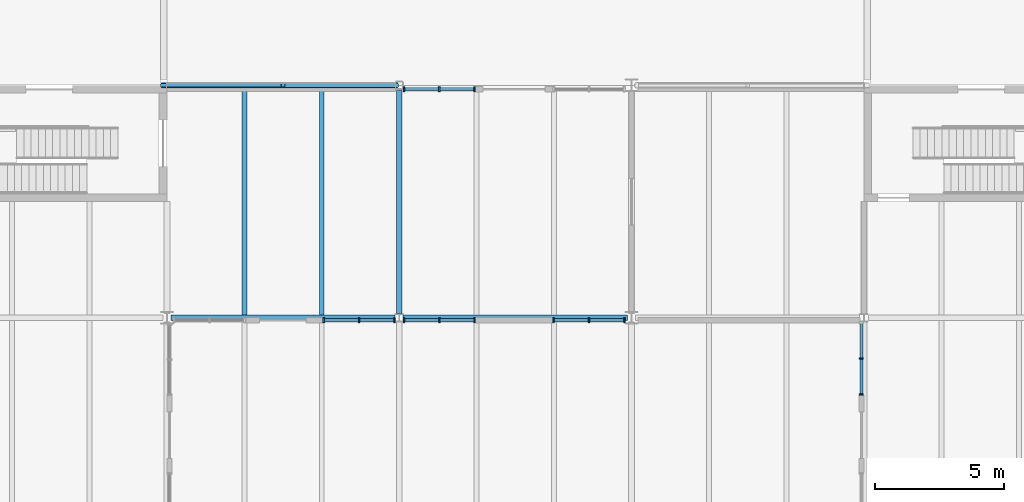
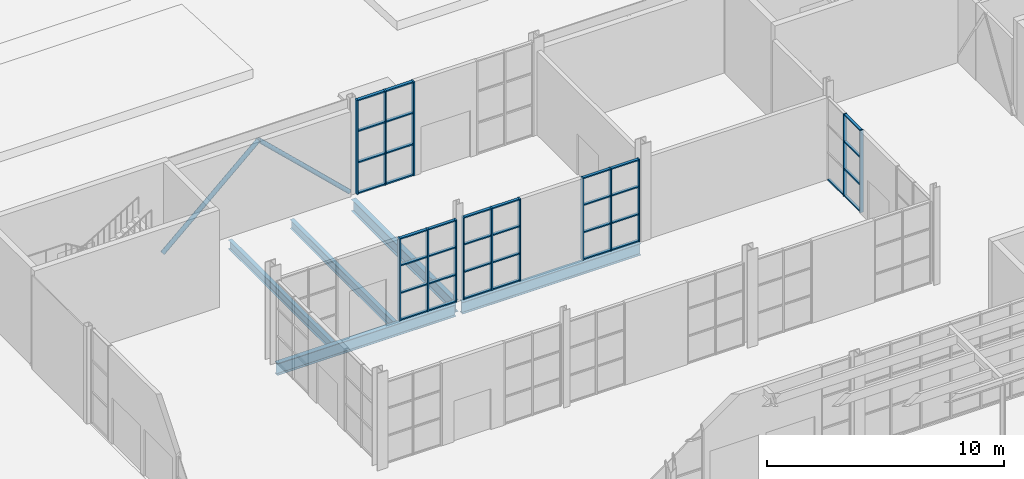
# One storey, part 18 of 63: 53 members, 5 beams, 5 elements without a shape of their own.
"""IFC4 building model written with IfcOpenShell, lengths in metres."""

from ifc_helpers import new_model, si_unit, direction, frame, origin, origin_2d, place, context, subcontext, project, spatial, rectangle, hollow_circle, i_section, extrude, material, layer, layer_set, material_profile, profile_set, type_object, element, aggregate, save


model = new_model("IFC4")

# Units and contexts
model_context = context("Model", 3, precision=1e-05, world=origin(), true_north=direction((0.0, 1.0)))
body_context = subcontext(model_context, "Body", "Model", "MODEL_VIEW")
ifc_project = project(units=[si_unit("LENGTHUNIT", "METRE"), si_unit("AREAUNIT", "SQUARE_METRE"), si_unit("VOLUMEUNIT", "CUBIC_METRE"), si_unit("PLANEANGLEUNIT", "RADIAN"), si_unit("MASSUNIT", "GRAM", prefix="KILO")], contexts=[model_context])

# Site, building, storey
site_placement = place(None, origin())
site = spatial("IfcSite", under=ifc_project, at=site_placement, CompositionType="ELEMENT")
building_placement = place(site_placement, origin())
building = spatial("IfcBuilding", under=site, at=building_placement, Name="Halyard Row Museum", CompositionType="ELEMENT")
storey_placement = place(building_placement, origin())
storey = spatial("IfcBuildingStorey", under=building, at=storey_placement, Name="L00", CompositionType="ELEMENT", Elevation=0.0)

# Members
ifc_material_1 = material(Name="Steel Grade C350L0", Category="steel")
ifc_material_profile_1 = material_profile(ifc_material_1, hollow_circle(Radius=0.109619140625, WallThickness=0.00830078125, at=origin_2d()), Name="219.1x8.2CHS")
ifc_profile_set_1 = profile_set([ifc_material_profile_1], Name="Steel Grade C350L0")
member_type_1 = type_object("IfcMemberType", Name="Brace 219.1x8.2CHS", PredefinedType="BRACE", material=ifc_profile_set_1)
member_1_placement = place(storey_placement, frame((35.830078125, 45.0, 0.109619140625), z_axis=(0.744148559148, 0.0, 0.668014162962), x_axis=(0.0, 1.0, 0.0)))
element("IfcMember", 1, at=member_1_placement, inside=storey, type_object=member_type_1, Name="Brace L00 Y45 36-45 A", PredefinedType="BRACE", context=body_context, shape_type="SweptSolid", body=[
    extrude(hollow_circle(Radius=0.109619140625, WallThickness=0.00830078125, at=origin_2d()), origin(), (0.0, 0.0, 1.0), 6.275634765625),
])
member_2_placement = place(storey_placement, frame((44.89990234375, 45.0, 0.109619140625), z_axis=(-0.723813110314, 0.0, 0.689996073421), x_axis=(0.0, -1.0, 0.0)))
element("IfcMember", 2, at=member_2_placement, inside=storey, type_object=member_type_1, Name="Brace L00 Y45 36-45 B", PredefinedType="BRACE", context=body_context, shape_type="SweptSolid", body=[
    extrude(hollow_circle(Radius=0.109619140625, WallThickness=0.00830078125, at=origin_2d()), origin(), (0.0, 0.0, 1.0), 6.078857421875),
])

# Curtain wall, members
ifc_material_2 = material(Name="Double glazed unit, low-emissivity", Category="glass")
ifc_layer_1 = layer(ifc_material_2, 0.199951171875)
ifc_layer_set_1 = layer_set([ifc_layer_1], Name="Double glazed unit, low-emissivity")
curtain_wall_type_1 = type_object("IfcCurtainWallType", Name="Curtain wall shopfront 200 deep", PredefinedType="NOTDEFINED", material=ifc_layer_set_1)
curtain_wall_1_placement = place(storey_placement, origin())
curtain_wall_1 = element("IfcCurtainWall", 3, at=curtain_wall_1_placement, inside=storey, type_object=curtain_wall_type_1, Name="Curtain wall CW010", PredefinedType="NOTDEFINED")
ifc_material_3 = material(Name="Powder-coated aluminium section", Category="aluminium")
ifc_material_profile_2 = material_profile(ifc_material_3, rectangle(XDim=0.199951171875, YDim=0.06494140625, at=origin_2d()), Name="200x65 mullion")
ifc_profile_set_2 = profile_set([ifc_material_profile_2], Name="Powder-coated aluminium section")
member_type_2 = type_object("IfcMemberType", Name="Curtain wall mullion CM1 65 x 200", PredefinedType="MULLION", material=ifc_profile_set_2)
member_3_placement = place(storey_placement, frame((47.91748046875, 44.85009765625, 0.0), z_axis=(0.0, 0.0, 1.0), x_axis=(0.0, -1.0, 0.0)))
member_3 = element("IfcMember", 4, at=member_3_placement, type_object=member_type_2, Name="CW010 mullion 1", PredefinedType="MULLION", context=body_context, shape_type="SweptSolid", body=[
    extrude(rectangle(XDim=0.199951171875, YDim=0.06494140625, at=origin_2d()), origin(), (0.0, 0.0, 1.0), 4.8349609375),
])
member_4_placement = place(storey_placement, frame((46.550048828125, 44.85009765625, 0.0), z_axis=(0.0, 0.0, 1.0), x_axis=(0.0, -1.0, 0.0)))
member_4 = element("IfcMember", 5, at=member_4_placement, type_object=member_type_2, Name="CW010 mullion 2", PredefinedType="MULLION", context=body_context, shape_type="SweptSolid", body=[
    extrude(rectangle(XDim=0.199951171875, YDim=0.06494140625, at=origin_2d()), origin(), (0.0, 0.0, 1.0), 4.8349609375),
])
member_5_placement = place(storey_placement, frame((45.1826171875, 44.85009765625, 0.0), z_axis=(0.0, 0.0, 1.0), x_axis=(0.0, -1.0, 0.0)))
member_5 = element("IfcMember", 6, at=member_5_placement, type_object=member_type_2, Name="CW010 mullion 3", PredefinedType="MULLION", context=body_context, shape_type="SweptSolid", body=[
    extrude(rectangle(XDim=0.199951171875, YDim=0.06494140625, at=origin_2d()), origin(), (0.0, 0.0, 1.0), 4.8349609375),
])

ifc_material_4 = material(Name="Double glazed unit, low-emissivity", Category="glass")
ifc_layer_2 = layer(ifc_material_4, 0.179931640625)
ifc_layer_set_2 = layer_set([ifc_layer_2], Name="Double glazed unit, low-emissivity")
curtain_wall_type_2 = type_object("IfcCurtainWallType", Name="Curtain wall stick 180 deep", PredefinedType="NOTDEFINED", material=ifc_layer_set_2)
curtain_wall_2_placement = place(storey_placement, origin())
curtain_wall_2 = element("IfcCurtainWall", 7, at=curtain_wall_2_placement, inside=storey, type_object=curtain_wall_type_2, Name="Curtain wall CW131", PredefinedType="NOTDEFINED")
ifc_material_5 = material(Name="Powder-coated aluminium section", Category="aluminium")
ifc_material_profile_3 = material_profile(ifc_material_5, rectangle(XDim=0.179931640625, YDim=0.06005859375, at=origin_2d()), Name="180x60 mullion")
ifc_profile_set_3 = profile_set([ifc_material_profile_3], Name="Powder-coated aluminium section")
member_type_3 = type_object("IfcMemberType", Name="Curtain wall mullion CM2 60 x 180", PredefinedType="MULLION", material=ifc_profile_set_3)
member_6_placement = place(storey_placement, frame((42.07763671875, 35.89990234375, 0.0), z_axis=(0.0, 0.0, 1.0), x_axis=(0.0, 1.0, 0.0)))
member_6 = element("IfcMember", 8, at=member_6_placement, type_object=member_type_3, Name="CW131 mullion 1", PredefinedType="MULLION", context=body_context, shape_type="SweptSolid", body=[
    extrude(rectangle(XDim=0.179931640625, YDim=0.06005859375, at=origin_2d()), origin(), (0.0, 0.0, 1.0), 4.22802734375),
])
member_7_placement = place(storey_placement, frame((43.446533203125, 35.89990234375, 0.0), z_axis=(0.0, 0.0, 1.0), x_axis=(0.0, 1.0, 0.0)))
member_7 = element("IfcMember", 9, at=member_7_placement, type_object=member_type_3, Name="CW131 mullion 2", PredefinedType="MULLION", context=body_context, shape_type="SweptSolid", body=[
    extrude(rectangle(XDim=0.179931640625, YDim=0.06005859375, at=origin_2d()), origin(), (0.0, 0.0, 1.0), 4.22802734375),
])
member_8_placement = place(storey_placement, frame((44.8154296875, 35.89990234375, 0.0), z_axis=(0.0, 0.0, 1.0), x_axis=(0.0, 1.0, 0.0)))
member_8 = element("IfcMember", 10, at=member_8_placement, type_object=member_type_3, Name="CW131 mullion 3", PredefinedType="MULLION", context=body_context, shape_type="SweptSolid", body=[
    extrude(rectangle(XDim=0.179931640625, YDim=0.06005859375, at=origin_2d()), origin(), (0.0, 0.0, 1.0), 4.22802734375),
])

curtain_wall_3_placement = place(storey_placement, origin())
curtain_wall_3 = element("IfcCurtainWall", 11, at=curtain_wall_3_placement, inside=storey, type_object=curtain_wall_type_2, Name="Curtain wall CW132", PredefinedType="NOTDEFINED")
member_9_placement = place(storey_placement, frame((45.1845703125, 35.89990234375, 0.0), z_axis=(0.0, 0.0, 1.0), x_axis=(0.0, 1.0, 0.0)))
member_9 = element("IfcMember", 12, at=member_9_placement, type_object=member_type_3, Name="CW132 mullion 1", PredefinedType="MULLION", context=body_context, shape_type="SweptSolid", body=[
    extrude(rectangle(XDim=0.179931640625, YDim=0.06005859375, at=origin_2d()), origin(), (0.0, 0.0, 1.0), 4.22802734375),
])
member_10_placement = place(storey_placement, frame((46.553466796875, 35.89990234375, 0.0), z_axis=(0.0, 0.0, 1.0), x_axis=(0.0, 1.0, 0.0)))
member_10 = element("IfcMember", 13, at=member_10_placement, type_object=member_type_3, Name="CW132 mullion 2", PredefinedType="MULLION", context=body_context, shape_type="SweptSolid", body=[
    extrude(rectangle(XDim=0.179931640625, YDim=0.06005859375, at=origin_2d()), origin(), (0.0, 0.0, 1.0), 4.22802734375),
])
member_11_placement = place(storey_placement, frame((47.92236328125, 35.89990234375, 0.0), z_axis=(0.0, 0.0, 1.0), x_axis=(0.0, 1.0, 0.0)))
member_11 = element("IfcMember", 14, at=member_11_placement, type_object=member_type_3, Name="CW132 mullion 3", PredefinedType="MULLION", context=body_context, shape_type="SweptSolid", body=[
    extrude(rectangle(XDim=0.179931640625, YDim=0.06005859375, at=origin_2d()), origin(), (0.0, 0.0, 1.0), 4.22802734375),
])

curtain_wall_4_placement = place(storey_placement, origin())
curtain_wall_4 = element("IfcCurtainWall", 15, at=curtain_wall_4_placement, inside=storey, type_object=curtain_wall_type_2, Name="Curtain wall CW133", PredefinedType="NOTDEFINED")
member_12_placement = place(storey_placement, frame((50.982177734375, 35.89990234375, 0.0), z_axis=(0.0, 0.0, 1.0), x_axis=(0.0, 1.0, 0.0)))
member_12 = element("IfcMember", 16, at=member_12_placement, type_object=member_type_3, Name="CW133 mullion 1", PredefinedType="MULLION", context=body_context, shape_type="SweptSolid", body=[
    extrude(rectangle(XDim=0.179931640625, YDim=0.06005859375, at=origin_2d()), origin(), (0.0, 0.0, 1.0), 4.22802734375),
])
member_13_placement = place(storey_placement, frame((52.35107421875, 35.89990234375, 0.0), z_axis=(0.0, 0.0, 1.0), x_axis=(0.0, 1.0, 0.0)))
member_13 = element("IfcMember", 17, at=member_13_placement, type_object=member_type_3, Name="CW133 mullion 2", PredefinedType="MULLION", context=body_context, shape_type="SweptSolid", body=[
    extrude(rectangle(XDim=0.179931640625, YDim=0.06005859375, at=origin_2d()), origin(), (0.0, 0.0, 1.0), 4.22802734375),
])
member_14_placement = place(storey_placement, frame((53.719970703125, 35.89990234375, 0.0), z_axis=(0.0, 0.0, 1.0), x_axis=(0.0, 1.0, 0.0)))
member_14 = element("IfcMember", 18, at=member_14_placement, type_object=member_type_3, Name="CW133 mullion 3", PredefinedType="MULLION", context=body_context, shape_type="SweptSolid", body=[
    extrude(rectangle(XDim=0.179931640625, YDim=0.06005859375, at=origin_2d()), origin(), (0.0, 0.0, 1.0), 4.22802734375),
])

ifc_material_6 = material(Name="Fire-resisting laminated glazing", Category="glass")
ifc_layer_3 = layer(ifc_material_6, 0.159912109375)
ifc_layer_set_3 = layer_set([ifc_layer_3], Name="Fire-resisting laminated glazing")
curtain_wall_type_3 = type_object("IfcCurtainWallType", Name="Curtain wall atrium screen 160 deep", PredefinedType="NOTDEFINED", material=ifc_layer_set_3)
curtain_wall_5_placement = place(storey_placement, origin())
curtain_wall_5 = element("IfcCurtainWall", 19, at=curtain_wall_5_placement, inside=storey, type_object=curtain_wall_type_3, Name="Curtain wall CW129", PredefinedType="NOTDEFINED")
ifc_material_7 = material(Name="Powder-coated aluminium section", Category="aluminium")
ifc_material_profile_4 = material_profile(ifc_material_7, rectangle(XDim=0.159912109375, YDim=0.06005859375, at=origin_2d()), Name="160x60 mullion")
ifc_profile_set_4 = profile_set([ifc_material_profile_4], Name="Powder-coated aluminium section")
member_type_4 = type_object("IfcMemberType", Name="Curtain wall mullion CM5 60 x 160", PredefinedType="MULLION", material=ifc_profile_set_4)
member_15_placement = place(storey_placement, frame((62.89990234375, 33.030029296875, 0.0), z_axis=(0.0, 0.0, 1.0), x_axis=(-1.0, 0.0, 0.0)))
member_15 = element("IfcMember", 20, at=member_15_placement, type_object=member_type_4, Name="CW129 mullion 1", PredefinedType="MULLION", context=body_context, shape_type="SweptSolid", body=[
    extrude(rectangle(XDim=0.159912109375, YDim=0.06005859375, at=origin_2d()), origin(), (0.0, 0.0, 1.0), 4.22802734375),
])
member_16_placement = place(storey_placement, frame((62.89990234375, 34.418212890625, 0.0), z_axis=(0.0, 0.0, 1.0), x_axis=(-1.0, 0.0, 0.0)))
member_16 = element("IfcMember", 21, at=member_16_placement, type_object=member_type_4, Name="CW129 mullion 2", PredefinedType="MULLION", context=body_context, shape_type="SweptSolid", body=[
    extrude(rectangle(XDim=0.159912109375, YDim=0.06005859375, at=origin_2d()), origin(), (0.0, 0.0, 1.0), 4.22802734375),
])

# Member
ifc_material_8 = material(Name="Powder-coated aluminium section", Category="aluminium")
ifc_material_profile_5 = material_profile(ifc_material_8, rectangle(XDim=0.14990234375, YDim=0.06494140625, at=origin_2d()), Name="150x65 transom")
ifc_profile_set_5 = profile_set([ifc_material_profile_5], Name="Powder-coated aluminium section")
member_type_5 = type_object("IfcMemberType", Name="Curtain wall transom CT1 65 x 150", PredefinedType="USERDEFINED", material=ifc_profile_set_5)
member_17_placement = place(storey_placement, frame((47.885009765625, 44.85009765625, 0.032470703125), z_axis=(-1.0, 0.0, 0.0), x_axis=(0.0, -1.0, 0.0)))
member_17 = element("IfcMember", 22, at=member_17_placement, type_object=member_type_5, Name="CW010 transom 1.1", ObjectType="TRANSOM", PredefinedType="USERDEFINED", context=body_context, shape_type="SweptSolid", body=[
    extrude(rectangle(XDim=0.14990234375, YDim=0.06494140625, at=origin_2d()), origin(), (0.0, 0.0, 1.0), 1.302490234375),
])

member_18_placement = place(storey_placement, frame((47.885009765625, 44.85009765625, 1.611572265625), z_axis=(-1.0, 0.0, 0.0), x_axis=(0.0, -1.0, 0.0)))
member_18 = element("IfcMember", 23, at=member_18_placement, type_object=member_type_5, Name="CW010 transom 1.2", ObjectType="TRANSOM", PredefinedType="USERDEFINED", context=body_context, shape_type="SweptSolid", body=[
    extrude(rectangle(XDim=0.14990234375, YDim=0.06494140625, at=origin_2d()), origin(), (0.0, 0.0, 1.0), 1.302490234375),
])

member_19_placement = place(storey_placement, frame((47.885009765625, 44.85009765625, 3.223388671875), z_axis=(-1.0, 0.0, 0.0), x_axis=(0.0, -1.0, 0.0)))
member_19 = element("IfcMember", 24, at=member_19_placement, type_object=member_type_5, Name="CW010 transom 1.3", ObjectType="TRANSOM", PredefinedType="USERDEFINED", context=body_context, shape_type="SweptSolid", body=[
    extrude(rectangle(XDim=0.14990234375, YDim=0.06494140625, at=origin_2d()), origin(), (0.0, 0.0, 1.0), 1.302490234375),
])

member_20_placement = place(storey_placement, frame((47.885009765625, 44.85009765625, 4.802490234375), z_axis=(-1.0, 0.0, 0.0), x_axis=(0.0, -1.0, 0.0)))
member_20 = element("IfcMember", 25, at=member_20_placement, type_object=member_type_5, Name="CW010 transom 1.4", ObjectType="TRANSOM", PredefinedType="USERDEFINED", context=body_context, shape_type="SweptSolid", body=[
    extrude(rectangle(XDim=0.14990234375, YDim=0.06494140625, at=origin_2d()), origin(), (0.0, 0.0, 1.0), 1.302490234375),
])

member_21_placement = place(storey_placement, frame((46.517578125, 44.85009765625, 0.032470703125), z_axis=(-1.0, 0.0, 0.0), x_axis=(0.0, -1.0, 0.0)))
member_21 = element("IfcMember", 26, at=member_21_placement, type_object=member_type_5, Name="CW010 transom 2.1", ObjectType="TRANSOM", PredefinedType="USERDEFINED", context=body_context, shape_type="SweptSolid", body=[
    extrude(rectangle(XDim=0.14990234375, YDim=0.06494140625, at=origin_2d()), origin(), (0.0, 0.0, 1.0), 1.302490234375),
])

member_22_placement = place(storey_placement, frame((46.517578125, 44.85009765625, 1.611572265625), z_axis=(-1.0, 0.0, 0.0), x_axis=(0.0, -1.0, 0.0)))
member_22 = element("IfcMember", 27, at=member_22_placement, type_object=member_type_5, Name="CW010 transom 2.2", ObjectType="TRANSOM", PredefinedType="USERDEFINED", context=body_context, shape_type="SweptSolid", body=[
    extrude(rectangle(XDim=0.14990234375, YDim=0.06494140625, at=origin_2d()), origin(), (0.0, 0.0, 1.0), 1.302490234375),
])

member_23_placement = place(storey_placement, frame((46.517578125, 44.85009765625, 3.223388671875), z_axis=(-1.0, 0.0, 0.0), x_axis=(0.0, -1.0, 0.0)))
member_23 = element("IfcMember", 28, at=member_23_placement, type_object=member_type_5, Name="CW010 transom 2.3", ObjectType="TRANSOM", PredefinedType="USERDEFINED", context=body_context, shape_type="SweptSolid", body=[
    extrude(rectangle(XDim=0.14990234375, YDim=0.06494140625, at=origin_2d()), origin(), (0.0, 0.0, 1.0), 1.302490234375),
])

member_24_placement = place(storey_placement, frame((46.517578125, 44.85009765625, 4.802490234375), z_axis=(-1.0, 0.0, 0.0), x_axis=(0.0, -1.0, 0.0)))
member_24 = element("IfcMember", 29, at=member_24_placement, type_object=member_type_5, Name="CW010 transom 2.4", ObjectType="TRANSOM", PredefinedType="USERDEFINED", context=body_context, shape_type="SweptSolid", body=[
    extrude(rectangle(XDim=0.14990234375, YDim=0.06494140625, at=origin_2d()), origin(), (0.0, 0.0, 1.0), 1.302490234375),
])

aggregate(curtain_wall_1, [member_3, member_4, member_5, member_17, member_18, member_19, member_20, member_21, member_22, member_23, member_24])

ifc_material_9 = material(Name="Powder-coated aluminium section", Category="aluminium")
ifc_material_profile_6 = material_profile(ifc_material_9, rectangle(XDim=0.139892578125, YDim=0.06005859375, at=origin_2d()), Name="140x60 transom")
ifc_profile_set_6 = profile_set([ifc_material_profile_6], Name="Powder-coated aluminium section")
member_type_6 = type_object("IfcMemberType", Name="Curtain wall transom CT2 60 x 140", PredefinedType="USERDEFINED", material=ifc_profile_set_6)
member_25_placement = place(storey_placement, frame((42.107666015625, 35.89990234375, 0.030029296875), z_axis=(1.0, 0.0, 0.0), x_axis=(0.0, 1.0, 0.0)))
member_25 = element("IfcMember", 30, at=member_25_placement, type_object=member_type_6, Name="CW131 transom 1.1", ObjectType="TRANSOM", PredefinedType="USERDEFINED", context=body_context, shape_type="SweptSolid", body=[
    extrude(rectangle(XDim=0.139892578125, YDim=0.06005859375, at=origin_2d()), origin(), (0.0, 0.0, 1.0), 1.308837890625),
])

member_26_placement = place(storey_placement, frame((42.107666015625, 35.89990234375, 1.409423828125), z_axis=(1.0, 0.0, 0.0), x_axis=(0.0, 1.0, 0.0)))
member_26 = element("IfcMember", 31, at=member_26_placement, type_object=member_type_6, Name="CW131 transom 1.2", ObjectType="TRANSOM", PredefinedType="USERDEFINED", context=body_context, shape_type="SweptSolid", body=[
    extrude(rectangle(XDim=0.139892578125, YDim=0.06005859375, at=origin_2d()), origin(), (0.0, 0.0, 1.0), 1.308837890625),
])

member_27_placement = place(storey_placement, frame((42.107666015625, 35.89990234375, 2.818603515625), z_axis=(1.0, 0.0, 0.0), x_axis=(0.0, 1.0, 0.0)))
member_27 = element("IfcMember", 32, at=member_27_placement, type_object=member_type_6, Name="CW131 transom 1.3", ObjectType="TRANSOM", PredefinedType="USERDEFINED", context=body_context, shape_type="SweptSolid", body=[
    extrude(rectangle(XDim=0.139892578125, YDim=0.06005859375, at=origin_2d()), origin(), (0.0, 0.0, 1.0), 1.308837890625),
])

member_28_placement = place(storey_placement, frame((42.107666015625, 35.89990234375, 4.197998046875), z_axis=(1.0, 0.0, 0.0), x_axis=(0.0, 1.0, 0.0)))
member_28 = element("IfcMember", 33, at=member_28_placement, type_object=member_type_6, Name="CW131 transom 1.4", ObjectType="TRANSOM", PredefinedType="USERDEFINED", context=body_context, shape_type="SweptSolid", body=[
    extrude(rectangle(XDim=0.139892578125, YDim=0.06005859375, at=origin_2d()), origin(), (0.0, 0.0, 1.0), 1.308837890625),
])

member_29_placement = place(storey_placement, frame((43.4765625, 35.89990234375, 0.030029296875), z_axis=(1.0, 0.0, 0.0), x_axis=(0.0, 1.0, 0.0)))
member_29 = element("IfcMember", 34, at=member_29_placement, type_object=member_type_6, Name="CW131 transom 2.1", ObjectType="TRANSOM", PredefinedType="USERDEFINED", context=body_context, shape_type="SweptSolid", body=[
    extrude(rectangle(XDim=0.139892578125, YDim=0.06005859375, at=origin_2d()), origin(), (0.0, 0.0, 1.0), 1.308837890625),
])

member_30_placement = place(storey_placement, frame((43.4765625, 35.89990234375, 1.409423828125), z_axis=(1.0, 0.0, 0.0), x_axis=(0.0, 1.0, 0.0)))
member_30 = element("IfcMember", 35, at=member_30_placement, type_object=member_type_6, Name="CW131 transom 2.2", ObjectType="TRANSOM", PredefinedType="USERDEFINED", context=body_context, shape_type="SweptSolid", body=[
    extrude(rectangle(XDim=0.139892578125, YDim=0.06005859375, at=origin_2d()), origin(), (0.0, 0.0, 1.0), 1.308837890625),
])

member_31_placement = place(storey_placement, frame((43.4765625, 35.89990234375, 2.818603515625), z_axis=(1.0, 0.0, 0.0), x_axis=(0.0, 1.0, 0.0)))
member_31 = element("IfcMember", 36, at=member_31_placement, type_object=member_type_6, Name="CW131 transom 2.3", ObjectType="TRANSOM", PredefinedType="USERDEFINED", context=body_context, shape_type="SweptSolid", body=[
    extrude(rectangle(XDim=0.139892578125, YDim=0.06005859375, at=origin_2d()), origin(), (0.0, 0.0, 1.0), 1.308837890625),
])

member_32_placement = place(storey_placement, frame((43.4765625, 35.89990234375, 4.197998046875), z_axis=(1.0, 0.0, 0.0), x_axis=(0.0, 1.0, 0.0)))
member_32 = element("IfcMember", 37, at=member_32_placement, type_object=member_type_6, Name="CW131 transom 2.4", ObjectType="TRANSOM", PredefinedType="USERDEFINED", context=body_context, shape_type="SweptSolid", body=[
    extrude(rectangle(XDim=0.139892578125, YDim=0.06005859375, at=origin_2d()), origin(), (0.0, 0.0, 1.0), 1.308837890625),
])

aggregate(curtain_wall_2, [member_6, member_7, member_8, member_25, member_26, member_27, member_28, member_29, member_30, member_31, member_32])

member_33_placement = place(storey_placement, frame((45.214599609375, 35.89990234375, 0.030029296875), z_axis=(1.0, 0.0, 0.0), x_axis=(0.0, 1.0, 0.0)))
member_33 = element("IfcMember", 38, at=member_33_placement, type_object=member_type_6, Name="CW132 transom 1.1", ObjectType="TRANSOM", PredefinedType="USERDEFINED", context=body_context, shape_type="SweptSolid", body=[
    extrude(rectangle(XDim=0.139892578125, YDim=0.06005859375, at=origin_2d()), origin(), (0.0, 0.0, 1.0), 1.308837890625),
])

member_34_placement = place(storey_placement, frame((45.214599609375, 35.89990234375, 1.409423828125), z_axis=(1.0, 0.0, 0.0), x_axis=(0.0, 1.0, 0.0)))
member_34 = element("IfcMember", 39, at=member_34_placement, type_object=member_type_6, Name="CW132 transom 1.2", ObjectType="TRANSOM", PredefinedType="USERDEFINED", context=body_context, shape_type="SweptSolid", body=[
    extrude(rectangle(XDim=0.139892578125, YDim=0.06005859375, at=origin_2d()), origin(), (0.0, 0.0, 1.0), 1.308837890625),
])

member_35_placement = place(storey_placement, frame((45.214599609375, 35.89990234375, 2.818603515625), z_axis=(1.0, 0.0, 0.0), x_axis=(0.0, 1.0, 0.0)))
member_35 = element("IfcMember", 40, at=member_35_placement, type_object=member_type_6, Name="CW132 transom 1.3", ObjectType="TRANSOM", PredefinedType="USERDEFINED", context=body_context, shape_type="SweptSolid", body=[
    extrude(rectangle(XDim=0.139892578125, YDim=0.06005859375, at=origin_2d()), origin(), (0.0, 0.0, 1.0), 1.308837890625),
])

member_36_placement = place(storey_placement, frame((45.214599609375, 35.89990234375, 4.197998046875), z_axis=(1.0, 0.0, 0.0), x_axis=(0.0, 1.0, 0.0)))
member_36 = element("IfcMember", 41, at=member_36_placement, type_object=member_type_6, Name="CW132 transom 1.4", ObjectType="TRANSOM", PredefinedType="USERDEFINED", context=body_context, shape_type="SweptSolid", body=[
    extrude(rectangle(XDim=0.139892578125, YDim=0.06005859375, at=origin_2d()), origin(), (0.0, 0.0, 1.0), 1.308837890625),
])

member_37_placement = place(storey_placement, frame((46.58349609375, 35.89990234375, 0.030029296875), z_axis=(1.0, 0.0, 0.0), x_axis=(0.0, 1.0, 0.0)))
member_37 = element("IfcMember", 42, at=member_37_placement, type_object=member_type_6, Name="CW132 transom 2.1", ObjectType="TRANSOM", PredefinedType="USERDEFINED", context=body_context, shape_type="SweptSolid", body=[
    extrude(rectangle(XDim=0.139892578125, YDim=0.06005859375, at=origin_2d()), origin(), (0.0, 0.0, 1.0), 1.308837890625),
])

member_38_placement = place(storey_placement, frame((46.58349609375, 35.89990234375, 1.409423828125), z_axis=(1.0, 0.0, 0.0), x_axis=(0.0, 1.0, 0.0)))
member_38 = element("IfcMember", 43, at=member_38_placement, type_object=member_type_6, Name="CW132 transom 2.2", ObjectType="TRANSOM", PredefinedType="USERDEFINED", context=body_context, shape_type="SweptSolid", body=[
    extrude(rectangle(XDim=0.139892578125, YDim=0.06005859375, at=origin_2d()), origin(), (0.0, 0.0, 1.0), 1.308837890625),
])

member_39_placement = place(storey_placement, frame((46.58349609375, 35.89990234375, 2.818603515625), z_axis=(1.0, 0.0, 0.0), x_axis=(0.0, 1.0, 0.0)))
member_39 = element("IfcMember", 44, at=member_39_placement, type_object=member_type_6, Name="CW132 transom 2.3", ObjectType="TRANSOM", PredefinedType="USERDEFINED", context=body_context, shape_type="SweptSolid", body=[
    extrude(rectangle(XDim=0.139892578125, YDim=0.06005859375, at=origin_2d()), origin(), (0.0, 0.0, 1.0), 1.308837890625),
])

member_40_placement = place(storey_placement, frame((46.58349609375, 35.89990234375, 4.197998046875), z_axis=(1.0, 0.0, 0.0), x_axis=(0.0, 1.0, 0.0)))
member_40 = element("IfcMember", 45, at=member_40_placement, type_object=member_type_6, Name="CW132 transom 2.4", ObjectType="TRANSOM", PredefinedType="USERDEFINED", context=body_context, shape_type="SweptSolid", body=[
    extrude(rectangle(XDim=0.139892578125, YDim=0.06005859375, at=origin_2d()), origin(), (0.0, 0.0, 1.0), 1.308837890625),
])

aggregate(curtain_wall_3, [member_9, member_10, member_11, member_33, member_34, member_35, member_36, member_37, member_38, member_39, member_40])

member_41_placement = place(storey_placement, frame((51.01220703125, 35.89990234375, 0.030029296875), z_axis=(1.0, 0.0, 0.0), x_axis=(0.0, 1.0, 0.0)))
member_41 = element("IfcMember", 46, at=member_41_placement, type_object=member_type_6, Name="CW133 transom 1.1", ObjectType="TRANSOM", PredefinedType="USERDEFINED", context=body_context, shape_type="SweptSolid", body=[
    extrude(rectangle(XDim=0.139892578125, YDim=0.06005859375, at=origin_2d()), origin(), (0.0, 0.0, 1.0), 1.308837890625),
])

member_42_placement = place(storey_placement, frame((51.01220703125, 35.89990234375, 1.409423828125), z_axis=(1.0, 0.0, 0.0), x_axis=(0.0, 1.0, 0.0)))
member_42 = element("IfcMember", 47, at=member_42_placement, type_object=member_type_6, Name="CW133 transom 1.2", ObjectType="TRANSOM", PredefinedType="USERDEFINED", context=body_context, shape_type="SweptSolid", body=[
    extrude(rectangle(XDim=0.139892578125, YDim=0.06005859375, at=origin_2d()), origin(), (0.0, 0.0, 1.0), 1.308837890625),
])

member_43_placement = place(storey_placement, frame((51.01220703125, 35.89990234375, 2.818603515625), z_axis=(1.0, 0.0, 0.0), x_axis=(0.0, 1.0, 0.0)))
member_43 = element("IfcMember", 48, at=member_43_placement, type_object=member_type_6, Name="CW133 transom 1.3", ObjectType="TRANSOM", PredefinedType="USERDEFINED", context=body_context, shape_type="SweptSolid", body=[
    extrude(rectangle(XDim=0.139892578125, YDim=0.06005859375, at=origin_2d()), origin(), (0.0, 0.0, 1.0), 1.308837890625),
])

member_44_placement = place(storey_placement, frame((51.01220703125, 35.89990234375, 4.197998046875), z_axis=(1.0, 0.0, 0.0), x_axis=(0.0, 1.0, 0.0)))
member_44 = element("IfcMember", 49, at=member_44_placement, type_object=member_type_6, Name="CW133 transom 1.4", ObjectType="TRANSOM", PredefinedType="USERDEFINED", context=body_context, shape_type="SweptSolid", body=[
    extrude(rectangle(XDim=0.139892578125, YDim=0.06005859375, at=origin_2d()), origin(), (0.0, 0.0, 1.0), 1.308837890625),
])

member_45_placement = place(storey_placement, frame((52.381103515625, 35.89990234375, 0.030029296875), z_axis=(1.0, 0.0, 0.0), x_axis=(0.0, 1.0, 0.0)))
member_45 = element("IfcMember", 50, at=member_45_placement, type_object=member_type_6, Name="CW133 transom 2.1", ObjectType="TRANSOM", PredefinedType="USERDEFINED", context=body_context, shape_type="SweptSolid", body=[
    extrude(rectangle(XDim=0.139892578125, YDim=0.06005859375, at=origin_2d()), origin(), (0.0, 0.0, 1.0), 1.308837890625),
])

member_46_placement = place(storey_placement, frame((52.381103515625, 35.89990234375, 1.409423828125), z_axis=(1.0, 0.0, 0.0), x_axis=(0.0, 1.0, 0.0)))
member_46 = element("IfcMember", 51, at=member_46_placement, type_object=member_type_6, Name="CW133 transom 2.2", ObjectType="TRANSOM", PredefinedType="USERDEFINED", context=body_context, shape_type="SweptSolid", body=[
    extrude(rectangle(XDim=0.139892578125, YDim=0.06005859375, at=origin_2d()), origin(), (0.0, 0.0, 1.0), 1.308837890625),
])

member_47_placement = place(storey_placement, frame((52.381103515625, 35.89990234375, 2.818603515625), z_axis=(1.0, 0.0, 0.0), x_axis=(0.0, 1.0, 0.0)))
member_47 = element("IfcMember", 52, at=member_47_placement, type_object=member_type_6, Name="CW133 transom 2.3", ObjectType="TRANSOM", PredefinedType="USERDEFINED", context=body_context, shape_type="SweptSolid", body=[
    extrude(rectangle(XDim=0.139892578125, YDim=0.06005859375, at=origin_2d()), origin(), (0.0, 0.0, 1.0), 1.308837890625),
])

member_48_placement = place(storey_placement, frame((52.381103515625, 35.89990234375, 4.197998046875), z_axis=(1.0, 0.0, 0.0), x_axis=(0.0, 1.0, 0.0)))
member_48 = element("IfcMember", 53, at=member_48_placement, type_object=member_type_6, Name="CW133 transom 2.4", ObjectType="TRANSOM", PredefinedType="USERDEFINED", context=body_context, shape_type="SweptSolid", body=[
    extrude(rectangle(XDim=0.139892578125, YDim=0.06005859375, at=origin_2d()), origin(), (0.0, 0.0, 1.0), 1.308837890625),
])

aggregate(curtain_wall_4, [member_12, member_13, member_14, member_41, member_42, member_43, member_44, member_45, member_46, member_47, member_48])

ifc_material_10 = material(Name="Powder-coated aluminium section", Category="aluminium")
ifc_material_profile_7 = material_profile(ifc_material_10, rectangle(XDim=0.1201171875, YDim=0.06005859375, at=origin_2d()), Name="120x60 transom")
ifc_profile_set_7 = profile_set([ifc_material_profile_7], Name="Powder-coated aluminium section")
member_type_7 = type_object("IfcMemberType", Name="Curtain wall transom CT5 60 x 120", PredefinedType="USERDEFINED", material=ifc_profile_set_7)
member_49_placement = place(storey_placement, frame((62.89990234375, 33.06005859375, 0.030029296875), z_axis=(0.0, 1.0, 0.0), x_axis=(-1.0, 0.0, 0.0)))
member_49 = element("IfcMember", 54, at=member_49_placement, type_object=member_type_7, Name="CW129 transom 1.1", ObjectType="TRANSOM", PredefinedType="USERDEFINED", context=body_context, shape_type="SweptSolid", body=[
    extrude(rectangle(XDim=0.1201171875, YDim=0.06005859375, at=origin_2d()), origin(), (0.0, 0.0, 1.0), 1.328125),
])

member_50_placement = place(storey_placement, frame((62.89990234375, 33.06005859375, 1.409423828125), z_axis=(0.0, 1.0, 0.0), x_axis=(-1.0, 0.0, 0.0)))
member_50 = element("IfcMember", 55, at=member_50_placement, type_object=member_type_7, Name="CW129 transom 1.2", ObjectType="TRANSOM", PredefinedType="USERDEFINED", context=body_context, shape_type="SweptSolid", body=[
    extrude(rectangle(XDim=0.1201171875, YDim=0.06005859375, at=origin_2d()), origin(), (0.0, 0.0, 1.0), 1.328125),
])

member_51_placement = place(storey_placement, frame((62.89990234375, 33.06005859375, 2.818603515625), z_axis=(0.0, 1.0, 0.0), x_axis=(-1.0, 0.0, 0.0)))
member_51 = element("IfcMember", 56, at=member_51_placement, type_object=member_type_7, Name="CW129 transom 1.3", ObjectType="TRANSOM", PredefinedType="USERDEFINED", context=body_context, shape_type="SweptSolid", body=[
    extrude(rectangle(XDim=0.1201171875, YDim=0.06005859375, at=origin_2d()), origin(), (0.0, 0.0, 1.0), 1.328125),
])

member_52_placement = place(storey_placement, frame((62.89990234375, 33.06005859375, 4.197998046875), z_axis=(0.0, 1.0, 0.0), x_axis=(-1.0, 0.0, 0.0)))
member_52 = element("IfcMember", 57, at=member_52_placement, type_object=member_type_7, Name="CW129 transom 1.4", ObjectType="TRANSOM", PredefinedType="USERDEFINED", context=body_context, shape_type="SweptSolid", body=[
    extrude(rectangle(XDim=0.1201171875, YDim=0.06005859375, at=origin_2d()), origin(), (0.0, 0.0, 1.0), 1.328125),
])

member_53_placement = place(storey_placement, frame((62.89990234375, 34.4482421875, 0.030029296875), z_axis=(0.0, 1.0, 0.0), x_axis=(-1.0, 0.0, 0.0)))
member_53 = element("IfcMember", 58, at=member_53_placement, type_object=member_type_7, Name="CW129 transom 2.1", ObjectType="TRANSOM", PredefinedType="USERDEFINED", context=body_context, shape_type="SweptSolid", body=[
    extrude(rectangle(XDim=0.1201171875, YDim=0.06005859375, at=origin_2d()), origin(), (0.0, 0.0, 1.0), 1.328125),
])

aggregate(curtain_wall_5, [member_15, member_16, member_49, member_50, member_51, member_52, member_53])

# Beams
ifc_material_11 = material(Name="Steel Grade 300", Category="steel")
ifc_material_profile_8 = material_profile(ifc_material_11, i_section(OverallWidth=0.22900390625, OverallDepth=0.611572265625, WebThickness=0.011962890625, FlangeThickness=0.01953125, FilletRadius=0.013916015625, at=origin_2d()), Name="610UB125")
ifc_profile_set_8 = profile_set([ifc_material_profile_8], Name="Steel Grade 300")
beam_type_1 = type_object("IfcBeamType", Name="Girder beam 610UB125", PredefinedType="BEAM", material=ifc_profile_set_8)
beam_1_placement = place(storey_placement, frame((36.155517578125, 36.0, -0.470703125), z_axis=(1.0, 0.0, 0.0), x_axis=(0.0, 1.0, 0.0)))
element("IfcBeam", 59, at=beam_1_placement, inside=storey, type_object=beam_type_1, Name="Beam L00-026", PredefinedType="BEAM", context=body_context, shape_type="SweptSolid", body=[
    extrude(i_section(OverallWidth=0.22900390625, OverallDepth=0.611572265625, WebThickness=0.011962890625, FlangeThickness=0.01953125, FilletRadius=0.013916015625, at=origin_2d()), origin(), (0.0, 0.0, 1.0), 8.68896484375),
])
beam_2_placement = place(storey_placement, frame((45.155517578125, 36.0, -0.470703125), z_axis=(1.0, 0.0, 0.0), x_axis=(0.0, 1.0, 0.0)))
element("IfcBeam", 60, at=beam_2_placement, inside=storey, type_object=beam_type_1, Name="Beam L00-027", PredefinedType="BEAM", context=body_context, shape_type="SweptSolid", body=[
    extrude(i_section(OverallWidth=0.22900390625, OverallDepth=0.611572265625, WebThickness=0.011962890625, FlangeThickness=0.01953125, FilletRadius=0.013916015625, at=origin_2d()), origin(), (0.0, 0.0, 1.0), 8.68994140625),
])
beam_3_placement = place(storey_placement, frame((45.0, 36.16357421875, -0.470703125), z_axis=(0.0, 1.0, 0.0), x_axis=(-1.0, 0.0, 0.0)))
element("IfcBeam", 61, at=beam_3_placement, inside=storey, type_object=beam_type_1, Name="Beam L00-052", PredefinedType="BEAM", context=body_context, shape_type="SweptSolid", body=[
    extrude(i_section(OverallWidth=0.22900390625, OverallDepth=0.611572265625, WebThickness=0.011962890625, FlangeThickness=0.01953125, FilletRadius=0.013916015625, at=origin_2d()), origin(), (0.0, 0.0, 1.0), 8.636474609375),
])
ifc_material_12 = material(Name="Steel Grade 300", Category="steel")
ifc_material_profile_9 = material_profile(ifc_material_12, i_section(OverallWidth=0.18994140625, OverallDepth=0.453857421875, WebThickness=0.008544921875, FlangeThickness=0.0126953125, FilletRadius=0.011474609375, at=origin_2d()), Name="460UB67.1")
ifc_profile_set_9 = profile_set([ifc_material_profile_9], Name="Steel Grade 300")
beam_type_2 = type_object("IfcBeamType", Name="Secondary beam 460UB67.1", PredefinedType="BEAM", material=ifc_profile_set_9)
for number, where, z_axis, x_axis, name in (
    (62, (39.0, 36.114501953125, -0.391845703125), (0.0, 1.0, 0.0), (-1.0, 0.0, 0.0), "Beam L00-147"),
    (63, (42.0, 36.114501953125, -0.391845703125), (0.0, 1.0, 0.0), (-1.0, 0.0, 0.0), "Beam L00-148"),
):
    element("IfcBeam", number, at=place(storey_placement, frame(where, z_axis=z_axis, x_axis=x_axis)), inside=storey, type_object=beam_type_2, Name=name, PredefinedType="BEAM", context=body_context, shape_type="SweptSolid", body=[
        extrude(i_section(OverallWidth=0.18994140625, OverallDepth=0.453857421875, WebThickness=0.008544921875, FlangeThickness=0.0126953125, FilletRadius=0.011474609375, at=origin_2d()), origin(), (0.0, 0.0, 1.0), 8.685546875),
    ])

save(model, "model.ifc")
